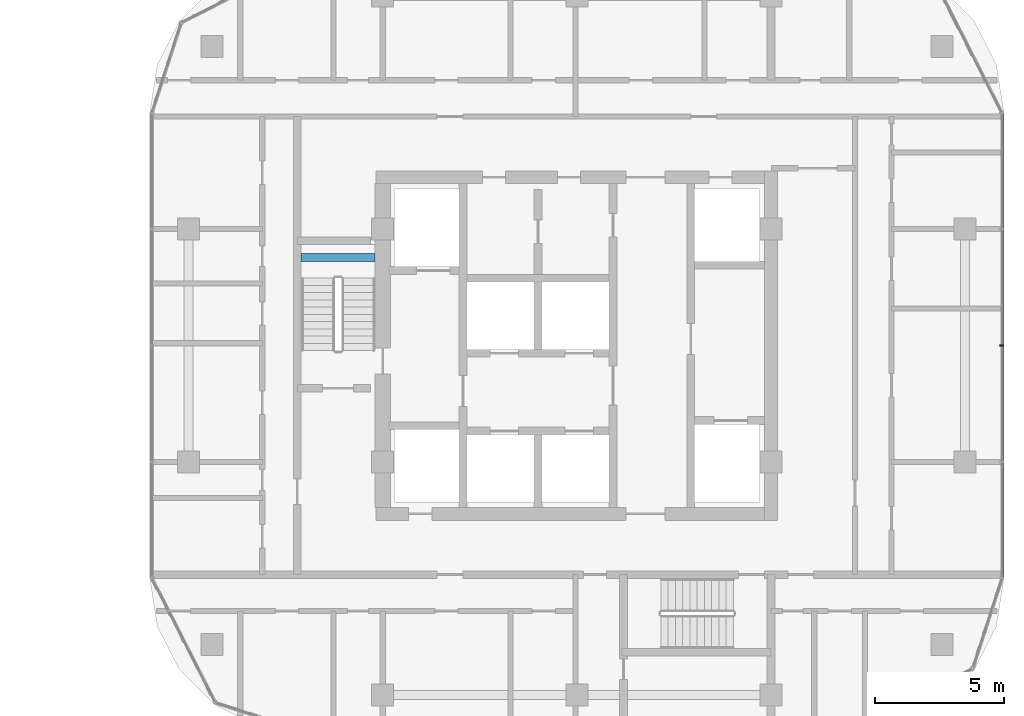
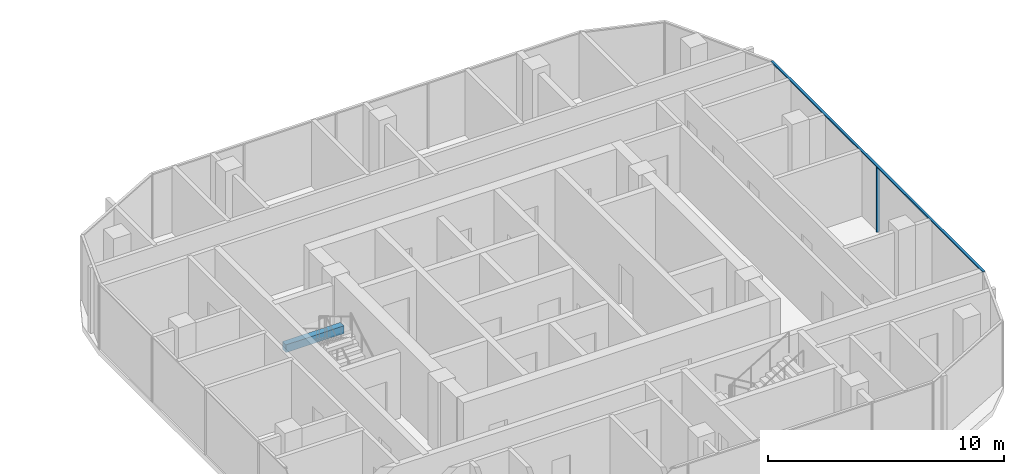
# One storey, part 10 of 31: 2 members, 1 beam, 1 element without a shape of its own.
"""IFC4 building model written with IfcOpenShell, lengths in metres."""

import ifcopenshell
import ifcopenshell.guid

model = None  # the IFC model being written
_history = None  # IfcOwnerHistory: only IFC2X3 demands one
_inside = {}  # id of a spatial element -> (the spatial element, [elements in it])
_under = {}  # id of a project, library or spatial element -> (it, [spatial elements below it])
_declared = {}  # id of a project -> (the project, [libraries it declares])
_typed = {}  # id of a type object -> (the type object, [elements of that type])
_made_of = {}  # id of a material, layer set ... -> (it, [elements and type objects made of it])


def new_model(schema):
    """Start an empty IFC model of exactly this schema.

    Asked for "IFC4X3", IfcOpenShell would pick the latest addendum, in which some entities
    have other attributes; the version numbers below select the first issue.
    IFC2X3 requires an IfcOwnerHistory on every rooted entity: one is made here for all.
    """
    global model, _history
    if schema == "IFC4X3":
        model = ifcopenshell.file(schema_version=(4, 3, 0, 0))
    else:
        model = ifcopenshell.file(schema=schema)
    _inside.clear()
    _under.clear()
    _declared.clear()
    _typed.clear()
    _made_of.clear()
    _history = None
    if model.schema == "IFC2X3":
        org = make("IfcOrganization", Name="unknown")
        user = make(
            "IfcPersonAndOrganization",
            ThePerson=make("IfcPerson", FamilyName="unknown"),
            TheOrganization=org,
        )
        app = make(
            "IfcApplication",
            ApplicationDeveloper=org,
            Version="unknown",
            ApplicationFullName="unknown",
            ApplicationIdentifier="unknown",
        )
        _history = make(
            "IfcOwnerHistory",
            OwningUser=user,
            OwningApplication=app,
            ChangeAction="ADDED",
            CreationDate=0,
        )
    return model


def make(cls, **values):
    """One entity of the class cls with the attributes given. An attribute that is None is left unset."""
    return model.create_entity(
        cls, **{name: value for name, value in values.items() if value is not None}
    )


def rooted(cls, **values):
    """An entity with a GlobalId (a new one), such as an element, a storey or a relation."""
    return make(cls, GlobalId=ifcopenshell.guid.new(), OwnerHistory=_history, **values)


def si_unit(unit_type, name, prefix=None):
    """IfcSIUnit, for example si_unit("LENGTHUNIT", "METRE", prefix="MILLI")."""
    return make("IfcSIUnit", UnitType=unit_type, Prefix=prefix, Name=name)


def assignment(units):
    """IfcUnitAssignment: the units of a project."""
    return None if units is None else make("IfcUnitAssignment", Units=units)


def point(xyz):
    """IfcCartesianPoint."""
    return None if xyz is None else make("IfcCartesianPoint", Coordinates=xyz)


def direction(xyz):
    """IfcDirection."""
    return None if xyz is None else make("IfcDirection", DirectionRatios=xyz)


def frame(location, z_axis=None, x_axis=None):
    """IfcAxis2Placement3D, a coordinate frame: its origin and axes. An axis left out is left unset."""
    return make(
        "IfcAxis2Placement3D",
        Location=point(location),
        Axis=direction(z_axis),
        RefDirection=direction(x_axis),
    )


def frame_2d(location, x_axis=None):
    """IfcAxis2Placement2D, a coordinate frame in the plane: its origin and x axis."""
    return make(
        "IfcAxis2Placement2D", Location=point(location), RefDirection=direction(x_axis)
    )


def origin():
    """The frame at (0, 0, 0) with its axes left unset."""
    return frame((0.0, 0.0, 0.0))


def origin_2d():
    """The frame at (0, 0) in the plane with its x axis left unset."""
    return frame_2d((0.0, 0.0))


def place(relative_to, where):
    """IfcLocalPlacement: puts the frame where relative to a parent placement (None: the world)."""
    return make(
        "IfcLocalPlacement", PlacementRelTo=relative_to, RelativePlacement=where
    )


def context(
    kind, dimensions, precision=None, world=None, true_north=None, identifier=None
):
    """IfcGeometricRepresentationContext, for example the 3D "Model" context."""
    return make(
        "IfcGeometricRepresentationContext",
        ContextIdentifier=identifier,
        ContextType=kind,
        CoordinateSpaceDimension=dimensions,
        Precision=precision,
        WorldCoordinateSystem=world,
        TrueNorth=true_north,
    )


def subcontext(parent, identifier, kind, view, scale=None):
    """IfcGeometricRepresentationSubContext, for example "Body" below "Model"."""
    return make(
        "IfcGeometricRepresentationSubContext",
        ContextIdentifier=identifier,
        ContextType=kind,
        ParentContext=parent,
        TargetScale=scale,
        TargetView=view,
    )


def project(units=None, contexts=None):
    """IfcProject with its units and contexts."""
    return rooted(
        "IfcProject",
        Name="project",
        RepresentationContexts=contexts,
        UnitsInContext=assignment(units),
    )


def spatial(cls, under=None, at=None, **own):
    """A site, building, storey or space (cls), placed at a placement, below another one or the project."""
    s = rooted(cls, ObjectPlacement=at, **own)
    if under is not None:
        _under.setdefault(under.id(), (under, []))[1].append(s)
    return s


def profile(cls, at=None, kind="AREA", **sizes):
    """A parametric profile (cls). Its sizes go by their IFC names, for example OverallWidth=200.0."""
    return make(cls, ProfileType=kind, Position=at, **sizes)


def rectangle(**sizes):
    """IfcRectangleProfileDef."""
    return profile("IfcRectangleProfileDef", **sizes)


def extrude(swept, where, along, depth):
    """IfcExtrudedAreaSolid: the profile swept, set in the frame where, extruded along a direction by depth."""
    return make(
        "IfcExtrudedAreaSolid",
        SweptArea=swept,
        Position=where,
        ExtrudedDirection=direction(along),
        Depth=depth,
    )


def shape(context_of_items, identifier, shape_type, items):
    """IfcShapeRepresentation: the items that make up one representation, for example the "Body"."""
    return make(
        "IfcShapeRepresentation",
        ContextOfItems=context_of_items,
        RepresentationIdentifier=identifier,
        RepresentationType=shape_type,
        Items=items,
    )


def material(Name=None, Category=None):
    """IfcMaterial."""
    return make("IfcMaterial", Name=Name, Category=Category)


def material_profile(
    of_material, cross_section, Name=None, Category=None, Priority=None
):
    """IfcMaterialProfile: a cross section and its material."""
    return make(
        "IfcMaterialProfile",
        Name=Name,
        Material=of_material,
        Profile=cross_section,
        Priority=Priority,
        Category=Category,
    )


def profile_set(profiles, Name=None, composite=None):
    """IfcMaterialProfileSet."""
    return make(
        "IfcMaterialProfileSet",
        Name=Name,
        MaterialProfiles=profiles,
        CompositeProfile=composite,
    )


def made_of(thing, what):
    """Note that an element or type object is made of a material, layer set ...; save() writes the relation."""
    if what is not None:
        _made_of.setdefault(what.id(), (what, []))[1].append(thing)
    return thing


def type_object(cls, material=None, **own):
    """A type object (cls), such as IfcWallType, which elements share."""
    return made_of(rooted(cls, **own), material)


def element(
    cls,
    number,
    at=None,
    inside=None,
    cuts=None,
    type_object=None,
    material=None,
    context=None,
    identifier="Body",
    shape_type=None,
    held_by="IfcProductDefinitionShape",
    body=None,
    shapes=None,
    **own,
):
    """One element of the class cls, such as IfcWall. Its Tag is "e" and its number.

    at: its placement. inside: the storey or other place that contains it. cuts: it is an
    opening in that element (IfcRelVoidsElement). A single representation is given by context,
    identifier, shape_type and body (its items); several are given by shapes. held_by: the class
    of the entity that holds the representations. save() writes the other relations.
    """
    e = rooted(cls, Tag="e%d" % number, ObjectPlacement=at, **own)
    if body is not None:
        shapes = [shape(context, identifier, shape_type, body)]
    if shapes is not None:
        e.Representation = make(held_by, Representations=shapes)
    if inside is not None:
        _inside.setdefault(inside.id(), (inside, []))[1].append(e)
    if cuts is not None:
        rooted(
            "IfcRelVoidsElement", RelatingBuildingElement=cuts, RelatedOpeningElement=e
        )
    if type_object is not None:
        _typed.setdefault(type_object.id(), (type_object, []))[1].append(e)
    return made_of(e, material)


def aggregate(whole, parts):
    """IfcRelAggregates: a whole, such as a stair, and the parts it consists of."""
    return rooted("IfcRelAggregates", RelatingObject=whole, RelatedObjects=parts)


def save(model, path):
    """Write the relations noted so far, then the file.

    IfcRelAggregates (storeys below a building ...), IfcRelContainedInSpatialStructure (elements
    in a storey), IfcRelDefinesByType, IfcRelAssociatesMaterial and IfcRelDeclares: one each for
    every whole, place, type object, material and project.
    """
    for whole, parts in _under.values():
        aggregate(whole, parts)
    for where, things in _inside.values():
        rooted(
            "IfcRelContainedInSpatialStructure",
            RelatedElements=things,
            RelatingStructure=where,
        )
    for kind, things in _typed.values():
        rooted("IfcRelDefinesByType", RelatedObjects=things, RelatingType=kind)
    for what, things in _made_of.values():
        rooted("IfcRelAssociatesMaterial", RelatedObjects=things, RelatingMaterial=what)
    for by, libraries in _declared.values():
        rooted("IfcRelDeclares", RelatingContext=by, RelatedDefinitions=libraries)
    model.write(path)


model = new_model("IFC4")

# Units and contexts
model_context = context("Model", 3, precision=1e-05, world=origin(), true_north=direction((0.0, 1.0)))
body_context = subcontext(model_context, "Body", "Model", "MODEL_VIEW")
ifc_project = project(units=[si_unit("LENGTHUNIT", "METRE"), si_unit("AREAUNIT", "SQUARE_METRE"), si_unit("VOLUMEUNIT", "CUBIC_METRE"), si_unit("PLANEANGLEUNIT", "RADIAN"), si_unit("MASSUNIT", "GRAM", prefix="KILO")], contexts=[model_context])

# Site, building, storey
site_placement = place(None, origin())
site = spatial("IfcSite", under=ifc_project, at=site_placement, CompositionType="ELEMENT")
building_placement = place(site_placement, origin())
building = spatial("IfcBuilding", under=site, at=building_placement, Name="Ogive Portal Towers", CompositionType="ELEMENT")
storey_placement = place(building_placement, frame((0.0, 0.0, 74.199951171875)))
storey = spatial("IfcBuildingStorey", under=building, at=storey_placement, Name="L17", CompositionType="ELEMENT", Elevation=74.199951171875)

# Beam
ifc_material_1 = material(Name="Concrete C40/50", Category="concrete")
ifc_material_profile_1 = material_profile(ifc_material_1, rectangle(XDim=0.300048828125, YDim=0.39990234375, at=origin_2d()), Name="RC 300x400")
ifc_profile_set_1 = profile_set([ifc_material_profile_1], Name="Concrete C40/50")
beam_type = type_object("IfcBeamType", Name="BEAM RC 300x400", PredefinedType="BEAM", material=ifc_profile_set_1)
beam_placement = place(storey_placement, frame((125.85009765625, 34.39990234375, 1.449951171875), z_axis=(1.0, 0.0, 0.0), x_axis=(0.0, 1.0, 0.0)))
element("IfcBeam", 1, at=beam_placement, inside=storey, type_object=beam_type, Name="Landing beam L17", PredefinedType="BEAM", context=body_context, shape_type="SweptSolid", body=[
    extrude(rectangle(XDim=0.300048828125, YDim=0.39990234375, at=origin_2d()), origin(), (0.0, 0.0, 1.0), 2.849853515625),
])

# Curtain wall, members
ifc_material_2 = material(Name="Glass, clear low-iron insulated glazing", Category="glass")
curtain_wall_type = type_object("IfcCurtainWallType", Name="CW RESIDENCES RIBBON", PredefinedType="NOTDEFINED", material=ifc_material_2)
curtain_wall_placement = place(storey_placement, origin())
curtain_wall = element("IfcCurtainWall", 2, at=curtain_wall_placement, inside=storey, type_object=curtain_wall_type, Name="B:L17:f05:cw0", PredefinedType="NOTDEFINED")
ifc_material_3 = material(Name="Aluminium 6063 anodised", Category="aluminium")
ifc_material_profile_2 = material_profile(ifc_material_3, rectangle(XDim=0.159912109375, YDim=0.06005859375, at=origin_2d()), Name="AL 60x160")
ifc_profile_set_2 = profile_set([ifc_material_profile_2], Name="Aluminium 6063 anodised")
member_type_1 = type_object("IfcMemberType", Name="CW MULLION 60x160", PredefinedType="MULLION", material=ifc_profile_set_2)
member_1_placement = place(storey_placement, frame((152.919921875, 31.0, 0.0), z_axis=(0.0, 0.0, 1.0), x_axis=(-1.0, 0.0, 0.0)))
member_1 = element("IfcMember", 3, at=member_1_placement, type_object=member_type_1, Name="mullion", PredefinedType="MULLION", context=body_context, shape_type="SweptSolid", body=[
    extrude(rectangle(XDim=0.159912109375, YDim=0.06005859375, at=origin_2d()), origin(), (0.0, 0.0, 1.0), 3.340087890625),
])
ifc_material_profile_3 = material_profile(ifc_material_3, rectangle(XDim=0.1201171875, YDim=0.06005859375, at=origin_2d()), Name="AL 120x60")
ifc_profile_set_3 = profile_set([ifc_material_profile_3], Name="Aluminium 6063 anodised")
member_type_2 = type_object("IfcMemberType", Name="CW TRANSOM 60x120", PredefinedType="USERDEFINED", material=ifc_profile_set_3)
member_2_placement = place(storey_placement, frame((152.919921875, 22.0126953125, 3.3701171875), z_axis=(0.0, 1.0, 0.0), x_axis=(-1.0, 0.0, 0.0)))
member_2 = element("IfcMember", 4, at=member_2_placement, type_object=member_type_2, Name="transom", ObjectType="TRANSOM", PredefinedType="USERDEFINED", context=body_context, shape_type="SweptSolid", body=[
    extrude(rectangle(XDim=0.1201171875, YDim=0.06005859375, at=origin_2d()), origin(), (0.0, 0.0, 1.0), 17.968017578125),
])
aggregate(curtain_wall, [member_2, member_1])

save(model, "model.ifc")
